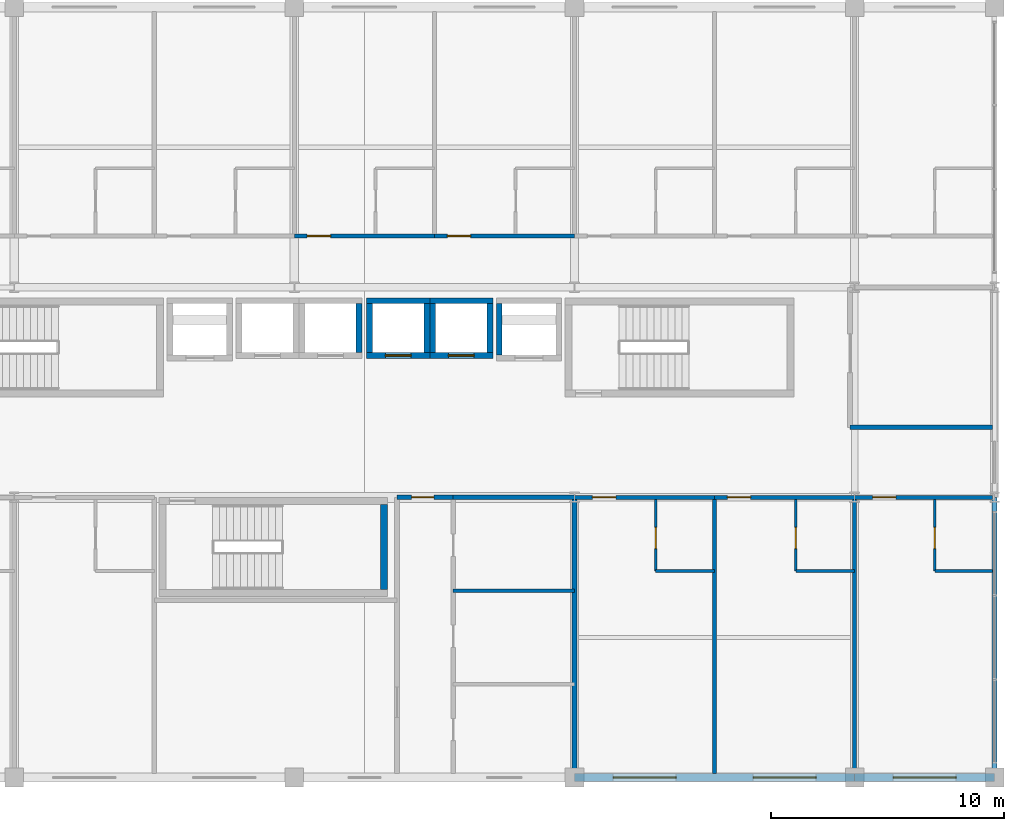
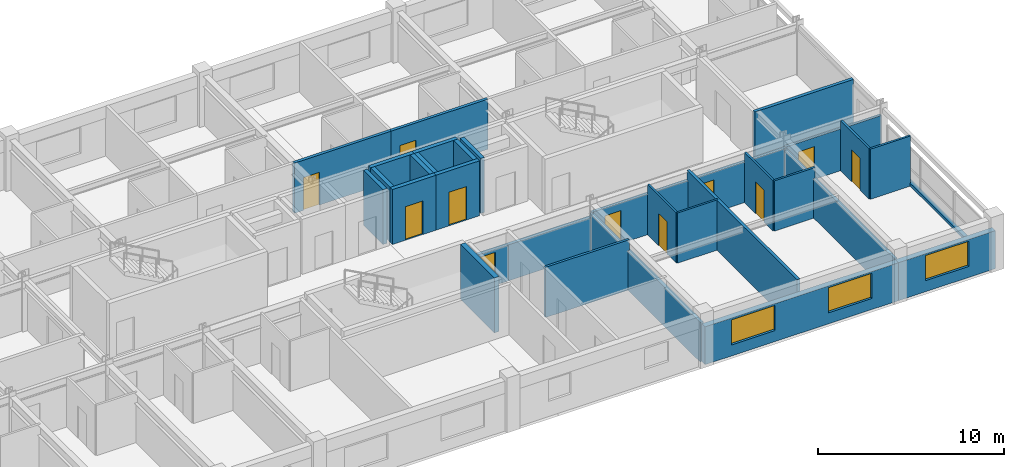
# One storey, part 23 of 26: 32 walls, 11 doors, 3 windows, 14 openings.
"""IFC4 building model written with IfcOpenShell, lengths in metres."""

from ifc_helpers import new_model, si_unit, direction, frame, frame_2d, origin, place, context, subcontext, project, spatial, rectangle, extrude, material, layer, layer_set, type_object, element, fill, save


model = new_model("IFC4")

# Units and contexts
model_context = context("Model", 3, precision=1e-05, world=origin(), true_north=direction((0.0, 1.0)))
body_context = subcontext(model_context, "Body", "Model", "MODEL_VIEW")
ifc_project = project(units=[si_unit("LENGTHUNIT", "METRE"), si_unit("AREAUNIT", "SQUARE_METRE"), si_unit("VOLUMEUNIT", "CUBIC_METRE"), si_unit("PLANEANGLEUNIT", "RADIAN"), si_unit("MASSUNIT", "GRAM", prefix="KILO")], contexts=[model_context])

# Site, building, storey
site_placement = place(None, origin())
site = spatial("IfcSite", under=ifc_project, at=site_placement, CompositionType="ELEMENT")
building_placement = place(site_placement, origin())
building = spatial("IfcBuilding", under=site, at=building_placement, Name="Kaldorvane Square Convention Centre", CompositionType="ELEMENT")
storey_placement = place(building_placement, frame((0.0, 0.0, 45.600006103515625)))
storey = spatial("IfcBuildingStorey", under=building, at=storey_placement, Name="L10", CompositionType="ELEMENT", Elevation=45.600006103515625)

# Wall, opening, door
ifc_material_1 = material(Name="Fire-Rated Gypsum Board on Acoustic Steel Studs", Category="steel")
ifc_layer_1 = layer(ifc_material_1, 0.125)
ifc_layer_set_1 = layer_set([ifc_layer_1], Name="Fire-Rated Gypsum Board on Acoustic Steel Studs")
wall_type_1 = type_object("IfcWallType", Name="WL-BATH-125", PredefinedType="PARTITIONING", material=ifc_layer_set_1)
wall_1_placement = place(storey_placement, frame((69.47999572753906, 92.85000610351562, 0.0), z_axis=(0.0, 0.0, 1.0), x_axis=(0.0, 1.0, 0.0)))
wall_1 = element("IfcWall", 1, at=wall_1_placement, inside=storey, type_object=wall_type_1, Name="En-Suite 1015 West Wall", PredefinedType="PARTITIONING", context=body_context, shape_type="SweptSolid", body=[
    extrude(rectangle(XDim=3.05999755859375, YDim=0.125, at=frame_2d((1.529998779296875, 0.0))), origin(), (0.0, 0.0, 1.0), 3.2899932861328125),
])
opening_1_placement = place(wall_1_placement, frame((0.9499969482421875, 0.0, 0.0)))
opening_1 = element("IfcOpeningElement", 2, at=opening_1_placement, cuts=wall_1, Name="Opening ID-12", PredefinedType="OPENING", context=body_context, shape_type="SweptSolid", body=[
    extrude(rectangle(XDim=0.9199981689453125, YDim=2.100006103515625, at=frame_2d((0.459991455078125, 1.0500030517578125))), frame((0.0, 0.0774993896484375, 0.0), z_axis=(0.0, -1.0, 0.0), x_axis=(1.0, 0.0, 0.0)), (0.0, 0.0, 1.0), 0.154998779296875),
])
ifc_material_2 = material(Name="Architectural Solid-Core White Oak")
door_type_1 = type_object("IfcDoorType", Name="DR-BATH-0920X2100", OperationType="SINGLE_SWING_RIGHT", PredefinedType="DOOR", material=ifc_material_2)
door_1_placement = place(opening_1_placement, origin())
door_1 = element("IfcDoor", 3, at=door_1_placement, inside=storey, type_object=door_type_1, Name="En-Suite Bathroom 1015 Door", OperationType="SINGLE_SWING_RIGHT", OverallHeight=2.100006103515625, OverallWidth=0.9199981689453125, PredefinedType="DOOR", context=body_context, shape_type="SweptSolid", body=[
    extrude(rectangle(XDim=0.9199981689453125, YDim=2.100006103515625, at=frame_2d((0.459991455078125, 1.0500030517578125))), frame((0.0, 0.024993896484375, 0.0), z_axis=(0.0, -1.0, 0.0), x_axis=(1.0, 0.0, 0.0)), (0.0, 0.0, 1.0), 0.0500030517578125),
])
fill(opening_1, door_1)

# Wall
wall_2_placement = place(storey_placement, frame((69.47999572753906, 92.85000610351562, 0.0), z_axis=(0.0, 0.0, 1.0), x_axis=(1.0, 0.0, 0.0)))
element("IfcWall", 4, at=wall_2_placement, inside=storey, type_object=wall_type_1, Name="En-Suite 1015 South Wall", PredefinedType="PARTITIONING", context=body_context, shape_type="SweptSolid", body=[
    extrude(rectangle(XDim=2.5200042724609375, YDim=0.125, at=frame_2d((1.260009765625, 0.0))), origin(), (0.0, 0.0, 1.0), 3.2899932861328125),
])

# Wall, opening, door
wall_3_placement = place(storey_placement, frame((75.47999572753906, 92.85000610351562, 0.0), z_axis=(0.0, 0.0, 1.0), x_axis=(0.0, 1.0, 0.0)))
wall_3 = element("IfcWall", 5, at=wall_3_placement, inside=storey, type_object=wall_type_1, Name="En-Suite 1016 West Wall", PredefinedType="PARTITIONING", context=body_context, shape_type="SweptSolid", body=[
    extrude(rectangle(XDim=3.05999755859375, YDim=0.125, at=frame_2d((1.529998779296875, 0.0))), origin(), (0.0, 0.0, 1.0), 3.2899932861328125),
])
opening_2_placement = place(wall_3_placement, frame((0.9499969482421875, 0.0, 0.0)))
opening_2 = element("IfcOpeningElement", 6, at=opening_2_placement, cuts=wall_3, Name="Opening ID-12", PredefinedType="OPENING", context=body_context, shape_type="SweptSolid", body=[
    extrude(rectangle(XDim=0.9199981689453125, YDim=2.100006103515625, at=frame_2d((0.459991455078125, 1.0500030517578125))), frame((0.0, 0.0774993896484375, 0.0), z_axis=(0.0, -1.0, 0.0), x_axis=(1.0, 0.0, 0.0)), (0.0, 0.0, 1.0), 0.154998779296875),
])
door_2_placement = place(opening_2_placement, origin())
door_2 = element("IfcDoor", 7, at=door_2_placement, inside=storey, type_object=door_type_1, Name="En-Suite Bathroom 1016 Door", OperationType="SINGLE_SWING_RIGHT", OverallHeight=2.100006103515625, OverallWidth=0.9199981689453125, PredefinedType="DOOR", context=body_context, shape_type="SweptSolid", body=[
    extrude(rectangle(XDim=0.9199981689453125, YDim=2.100006103515625, at=frame_2d((0.459991455078125, 1.0500030517578125))), frame((0.0, 0.024993896484375, 0.0), z_axis=(0.0, -1.0, 0.0), x_axis=(1.0, 0.0, 0.0)), (0.0, 0.0, 1.0), 0.0500030517578125),
])
fill(opening_2, door_2)

# Wall
wall_4_placement = place(storey_placement, frame((75.47999572753906, 92.85000610351562, 0.0), z_axis=(0.0, 0.0, 1.0), x_axis=(1.0, 0.0, 0.0)))
element("IfcWall", 8, at=wall_4_placement, inside=storey, type_object=wall_type_1, Name="En-Suite 1016 South Wall", PredefinedType="PARTITIONING", context=body_context, shape_type="SweptSolid", body=[
    extrude(rectangle(XDim=2.5200042724609375, YDim=0.125, at=frame_2d((1.260009765625, 0.0))), origin(), (0.0, 0.0, 1.0), 3.2899932861328125),
])

# Wall, opening, door
wall_5_placement = place(storey_placement, frame((81.43499755859375, 92.85000610351562, 0.0), z_axis=(0.0, 0.0, 1.0), x_axis=(0.0, 1.0, 0.0)))
wall_5 = element("IfcWall", 9, at=wall_5_placement, inside=storey, type_object=wall_type_1, Name="En-Suite 1017 West Wall", PredefinedType="PARTITIONING", context=body_context, shape_type="SweptSolid", body=[
    extrude(rectangle(XDim=3.05999755859375, YDim=0.125, at=frame_2d((1.529998779296875, 0.0))), origin(), (0.0, 0.0, 1.0), 3.2899932861328125),
])
opening_3_placement = place(wall_5_placement, frame((0.9499969482421875, 0.0, 0.0)))
opening_3 = element("IfcOpeningElement", 10, at=opening_3_placement, cuts=wall_5, Name="Opening ID-12", PredefinedType="OPENING", context=body_context, shape_type="SweptSolid", body=[
    extrude(rectangle(XDim=0.9199981689453125, YDim=2.100006103515625, at=frame_2d((0.459991455078125, 1.0500030517578125))), frame((0.0, 0.0774993896484375, 0.0), z_axis=(0.0, -1.0, 0.0), x_axis=(1.0, 0.0, 0.0)), (0.0, 0.0, 1.0), 0.154998779296875),
])
door_3_placement = place(opening_3_placement, origin())
door_3 = element("IfcDoor", 11, at=door_3_placement, inside=storey, type_object=door_type_1, Name="En-Suite Bathroom 1017 Door", OperationType="SINGLE_SWING_RIGHT", OverallHeight=2.100006103515625, OverallWidth=0.9199981689453125, PredefinedType="DOOR", context=body_context, shape_type="SweptSolid", body=[
    extrude(rectangle(XDim=0.9199981689453125, YDim=2.100006103515625, at=frame_2d((0.459991455078125, 1.0500030517578125))), frame((0.0, 0.024993896484375, 0.0), z_axis=(0.0, -1.0, 0.0), x_axis=(1.0, 0.0, 0.0)), (0.0, 0.0, 1.0), 0.0500030517578125),
])
fill(opening_3, door_3)

# Wall
wall_6_placement = place(storey_placement, frame((81.43499755859375, 92.85000610351562, 0.0), z_axis=(0.0, 0.0, 1.0), x_axis=(1.0, 0.0, 0.0)))
element("IfcWall", 12, at=wall_6_placement, inside=storey, type_object=wall_type_1, Name="En-Suite 1017 South Wall", PredefinedType="PARTITIONING", context=body_context, shape_type="SweptSolid", body=[
    extrude(rectangle(XDim=2.4799957275390625, YDim=0.125, at=frame_2d((1.239990234375, 0.0))), origin(), (0.0, 0.0, 1.0), 3.2899932861328125),
])

# Wall, opening, door
ifc_layer_2 = layer(ifc_material_1, 0.1999969482421875)
ifc_layer_set_2 = layer_set([ifc_layer_2], Name="Fire-Rated Gypsum Board on Acoustic Steel Studs")
wall_type_2 = type_object("IfcWallType", Name="WL-CORR-200", PredefinedType="PARTITIONING", material=ifc_layer_set_2)
wall_7_placement = place(storey_placement, frame((58.399993896484375, 96.0, 0.0), z_axis=(0.0, 0.0, 1.0), x_axis=(1.0, 0.0, 0.0)))
wall_7 = element("IfcWall", 13, at=wall_7_placement, inside=storey, type_object=wall_type_2, Name="Restroom Vestibule Entry Header (L10)", PredefinedType="PARTITIONING", context=body_context, shape_type="SweptSolid", body=[
    extrude(rectangle(XDim=2.4000091552734375, YDim=0.1999969482421875, at=frame_2d((1.20001220703125, 0.0))), origin(), (0.0, 0.0, 1.0), 2.3589935302734375),
])
opening_4_placement = place(wall_7_placement, frame((0.625, 0.0, 0.0)))
opening_4 = element("IfcOpeningElement", 14, at=opening_4_placement, cuts=wall_7, Name="Opening ID-13", PredefinedType="OPENING", context=body_context, shape_type="SweptSolid", body=[
    extrude(rectangle(XDim=0.9499969482421875, YDim=2.149993896484375, at=frame_2d((0.475006103515625, 1.0749969482421875))), frame((0.0, 0.114990234375, 0.0), z_axis=(0.0, -1.0, 0.0), x_axis=(1.0, 0.0, 0.0)), (0.0, 0.0, 1.0), 0.2299957275390625),
])
door_type_2 = type_object("IfcDoorType", Name="DR-WC-0950X2150", OperationType="SINGLE_SWING_LEFT", PredefinedType="DOOR", material=ifc_material_2)
door_4_placement = place(opening_4_placement, origin())
door_4 = element("IfcDoor", 15, at=door_4_placement, inside=storey, type_object=door_type_2, Name="Restroom Vestibule Door (L10)", OperationType="SINGLE_SWING_LEFT", OverallHeight=2.149993896484375, OverallWidth=0.9499969482421875, PredefinedType="DOOR", context=body_context, shape_type="SweptSolid", body=[
    extrude(rectangle(XDim=0.9499969482421875, YDim=2.149993896484375, at=frame_2d((0.475006103515625, 1.0749969482421875))), frame((0.0, 0.024993896484375, 0.0), z_axis=(0.0, -1.0, 0.0), x_axis=(1.0, 0.0, 0.0)), (0.0, 0.0, 1.0), 0.0500030517578125),
])
fill(opening_4, door_4)

# Walls
wall_8_placement = place(storey_placement, frame((66.0, 84.17500305175781, 0.0), z_axis=(0.0, 0.0, 1.0), x_axis=(0.0, 1.0, 0.0)))
element("IfcWall", 16, at=wall_8_placement, inside=storey, type_object=wall_type_2, Name="Restroom East Wall (L10)", PredefinedType="PARTITIONING", context=body_context, shape_type="SweptSolid", body=[
    extrude(rectangle(XDim=11.824996948242188, YDim=0.1999969482421875, at=frame_2d((5.912506103515625, 0.0))), origin(), (0.0, 0.0, 1.0), 2.589996337890625),
])
wall_9_placement = place(storey_placement, frame((60.80000305175781, 96.0, 0.0), z_axis=(0.0, 0.0, 1.0), x_axis=(1.0, 0.0, 0.0)))
element("IfcWall", 17, at=wall_9_placement, inside=storey, type_object=wall_type_2, Name="Restroom North Wall (L10)", PredefinedType="PARTITIONING", context=body_context, shape_type="SweptSolid", body=[
    extrude(rectangle(XDim=5.1999969482421875, YDim=0.1999969482421875, at=frame_2d((2.600006103515625, 0.0))), origin(), (0.0, 0.0, 1.0), 2.3589935302734375),
])
wall_10_placement = place(storey_placement, frame((77.80000305175781, 99.0, 0.0), z_axis=(0.0, 0.0, 1.0), x_axis=(1.0, 0.0, 0.0)))
element("IfcWall", 18, at=wall_10_placement, inside=storey, type_object=wall_type_2, Name="East Square View Lounge (L10) S Wall", PredefinedType="PARTITIONING", context=body_context, shape_type="SweptSolid", body=[
    extrude(rectangle(XDim=6.114990234375, YDim=0.1999969482421875, at=frame_2d((3.0574951171875, 0.0))), origin(), (0.0, 0.0, 1.0), 3.2899932861328125),
])

# Wall, openings, windows
ifc_material_3 = material(Name="Concrete f'c = 42 MPa (Normalweight)", Category="concrete")
ifc_layer_3 = layer(ifc_material_3, 0.350006103515625)
ifc_layer_set_3 = layer_set([ifc_layer_3], Name="Concrete f'c = 42 MPa (Normalweight)")
wall_type_3 = type_object("IfcWallType", Name="WL-EXT-350", PredefinedType="STANDARD", material=ifc_layer_set_3)
wall_11_placement = place(storey_placement, frame((66.0, 84.0, 0.0), z_axis=(0.0, 0.0, 1.0), x_axis=(1.0, 0.0, 0.0)))
wall_11 = element("IfcWall", 19, at=wall_11_placement, inside=storey, type_object=wall_type_3, Name="Hotel S Brutalist Facade Wall (L10)", PredefinedType="STANDARD", context=body_context, shape_type="SweptSolid", body=[
    extrude(rectangle(XDim=12.0, YDim=0.350006103515625, at=frame_2d((6.0, 0.0))), origin(), (0.0, 0.0, 1.0), 2.485992431640625),
])
opening_5_placement = place(wall_11_placement, frame((1.649993896484375, 0.0, 0.720001220703125)))
opening_5 = element("IfcOpeningElement", 20, at=opening_5_placement, cuts=wall_11, Name="Opening W-03", PredefinedType="OPENING", context=body_context, shape_type="SweptSolid", body=[
    extrude(rectangle(XDim=2.6999969482421875, YDim=1.649993896484375, at=frame_2d((1.350006103515625, 0.8249969482421875))), frame((0.0, 0.19000244140625, 0.0), z_axis=(0.0, -1.0, 0.0), x_axis=(1.0, 0.0, 0.0)), (0.0, 0.0, 1.0), 0.3800048828125),
])
opening_6_placement = place(wall_11_placement, frame((7.649993896484375, 0.0, 0.720001220703125)))
opening_6 = element("IfcOpeningElement", 21, at=opening_6_placement, cuts=wall_11, Name="Opening W-03", PredefinedType="OPENING", context=body_context, shape_type="SweptSolid", body=[
    extrude(rectangle(XDim=2.6999969482421875, YDim=1.649993896484375, at=frame_2d((1.350006103515625, 0.8249969482421875))), frame((0.0, 0.19000244140625, 0.0), z_axis=(0.0, -1.0, 0.0), x_axis=(1.0, 0.0, 0.0)), (0.0, 0.0, 1.0), 0.3800048828125),
])
ifc_material_4 = material(Name="Anodized Aluminum and Low-E Insulated Glazing", Category="aluminium")
window_type = type_object("IfcWindowType", Name="WN-HTL-2700X1650", PartitioningType="TRIPLE_PANEL_VERTICAL", PredefinedType="WINDOW", material=ifc_material_4)
window_1_placement = place(opening_5_placement, origin())
window_1 = element("IfcWindow", 22, at=window_1_placement, inside=storey, type_object=window_type, Name="Hotel S Window (L10)", OverallHeight=1.649993896484375, OverallWidth=2.6999969482421875, PartitioningType="TRIPLE_PANEL_VERTICAL", PredefinedType="WINDOW", context=body_context, shape_type="SweptSolid", body=[
    extrude(rectangle(XDim=2.6999969482421875, YDim=1.649993896484375, at=frame_2d((1.350006103515625, 0.8249969482421875))), frame((0.0, 0.029998779296875, 0.0), z_axis=(0.0, -1.0, 0.0), x_axis=(1.0, 0.0, 0.0)), (0.0, 0.0, 1.0), 0.05999755859375),
])
fill(opening_5, window_1)
window_2_placement = place(opening_6_placement, origin())
window_2 = element("IfcWindow", 23, at=window_2_placement, inside=storey, type_object=window_type, Name="Hotel S Window (L10)", OverallHeight=1.649993896484375, OverallWidth=2.6999969482421875, PartitioningType="TRIPLE_PANEL_VERTICAL", PredefinedType="WINDOW", context=body_context, shape_type="SweptSolid", body=[
    extrude(rectangle(XDim=2.6999969482421875, YDim=1.649993896484375, at=frame_2d((1.350006103515625, 0.8249969482421875))), frame((0.0, 0.029998779296875, 0.0), z_axis=(0.0, -1.0, 0.0), x_axis=(1.0, 0.0, 0.0)), (0.0, 0.0, 1.0), 0.05999755859375),
])
fill(opening_6, window_2)

# Wall, opening, window
wall_12_placement = place(storey_placement, frame((78.0, 84.0, 0.0), z_axis=(0.0, 0.0, 1.0), x_axis=(1.0, 0.0, 0.0)))
wall_12 = element("IfcWall", 24, at=wall_12_placement, inside=storey, type_object=wall_type_3, Name="Hotel S Brutalist Facade Wall (L10)", PredefinedType="STANDARD", context=body_context, shape_type="SweptSolid", body=[
    extrude(rectangle(XDim=6.0, YDim=0.350006103515625, at=frame_2d((3.0, 0.0))), origin(), (0.0, 0.0, 1.0), 2.485992431640625),
])
opening_7_placement = place(wall_12_placement, frame((1.649993896484375, 0.0, 0.720001220703125)))
opening_7 = element("IfcOpeningElement", 25, at=opening_7_placement, cuts=wall_12, Name="Opening W-03", PredefinedType="OPENING", context=body_context, shape_type="SweptSolid", body=[
    extrude(rectangle(XDim=2.6999969482421875, YDim=1.649993896484375, at=frame_2d((1.350006103515625, 0.8249969482421875))), frame((0.0, 0.19000244140625, 0.0), z_axis=(0.0, -1.0, 0.0), x_axis=(1.0, 0.0, 0.0)), (0.0, 0.0, 1.0), 0.3800048828125),
])
window_3_placement = place(opening_7_placement, origin())
window_3 = element("IfcWindow", 26, at=window_3_placement, inside=storey, type_object=window_type, Name="Hotel S Window (L10)", OverallHeight=1.649993896484375, OverallWidth=2.6999969482421875, PartitioningType="TRIPLE_PANEL_VERTICAL", PredefinedType="WINDOW", context=body_context, shape_type="SweptSolid", body=[
    extrude(rectangle(XDim=2.6999969482421875, YDim=1.649993896484375, at=frame_2d((1.350006103515625, 0.8249969482421875))), frame((0.0, 0.029998779296875, 0.0), z_axis=(0.0, -1.0, 0.0), x_axis=(1.0, 0.0, 0.0)), (0.0, 0.0, 1.0), 0.05999755859375),
])
fill(opening_7, window_3)

# Walls
ifc_material_5 = material(Name="Concrete f'c = 35 MPa (Normalweight)", Category="concrete")
ifc_layer_4 = layer(ifc_material_5, 0.220001220703125)
ifc_layer_set_4 = layer_set([ifc_layer_4], Name="Concrete f'c = 35 MPa (Normalweight)")
wall_type_4 = type_object("IfcWallType", Name="WL-PAR-220", PredefinedType="PARAPET", material=ifc_layer_set_4)
wall_13_placement = place(storey_placement, frame((84.0, 84.0, 0.0), z_axis=(0.0, 0.0, 1.0), x_axis=(0.0, 1.0, 0.0)))
element("IfcWall", 27, at=wall_13_placement, inside=storey, type_object=wall_type_4, Name="Hotel End Curtain-Wall Sill (L10)", PredefinedType="PARAPET", context=body_context, shape_type="SweptSolid", body=[
    extrude(rectangle(XDim=12.0, YDim=0.220001220703125, at=frame_2d((6.0, 0.0))), origin(), (0.0, 0.0, 1.0), 0.1999969482421875),
])
ifc_layer_5 = layer(ifc_material_1, 0.149993896484375)
ifc_layer_set_5 = layer_set([ifc_layer_5], Name="Fire-Rated Gypsum Board on Acoustic Steel Studs")
wall_type_5 = type_object("IfcWallType", Name="WL-PART-150", PredefinedType="PARTITIONING", material=ifc_layer_set_5)
wall_14_placement = place(storey_placement, frame((60.80000305175781, 92.0, 0.0), z_axis=(0.0, 0.0, 1.0), x_axis=(1.0, 0.0, 0.0)))
element("IfcWall", 28, at=wall_14_placement, inside=storey, type_object=wall_type_5, Name="Restroom Partition 2 (L10)", PredefinedType="PARTITIONING", context=body_context, shape_type="SweptSolid", body=[
    extrude(rectangle(XDim=5.1999969482421875, YDim=0.149993896484375, at=frame_2d((2.600006103515625, 0.0))), origin(), (0.0, 0.0, 1.0), 3.2899932861328125),
])
ifc_material_6 = material(Name="Concrete f'c = 55 MPa (Normalweight)", Category="concrete")
ifc_layer_6 = layer(ifc_material_6, 0.3000030517578125)
ifc_layer_set_6 = layer_set([ifc_layer_6], Name="Concrete f'c = 55 MPa (Normalweight)")
wall_type_6 = type_object("IfcWallType", Name="WL-SHAFT-300", PredefinedType="SHEAR", material=ifc_layer_set_6)
wall_15_placement = place(storey_placement, frame((57.850006103515625, 92.05999755859375, 0.0), z_axis=(0.0, 0.0, 1.0), x_axis=(0.0, 1.0, 0.0)))
element("IfcWall", 29, at=wall_15_placement, inside=storey, type_object=wall_type_6, Name="Core Enclosure Wall stair:ST-T3-E (L10)", PredefinedType="SHEAR", context=body_context, shape_type="SweptSolid", body=[
    extrude(rectangle(XDim=3.6399993896484375, YDim=0.3000030517578125, at=frame_2d((1.82000732421875, 0.0))), origin(), (0.0, 0.0, 1.0), 3.5999908447265625),
])
wall_16_placement = place(storey_placement, frame((62.774993896484375, 104.30000305175781, 0.0), z_axis=(0.0, 0.0, 1.0), x_axis=(0.0, -1.0, 0.0)))
element("IfcWall", 30, at=wall_16_placement, inside=storey, type_object=wall_type_6, Name="Core Enclosure Wall lift:FSAE-02-W (L10)", PredefinedType="SHEAR", context=body_context, shape_type="SweptSolid", body=[
    extrude(rectangle(XDim=2.1999969482421875, YDim=0.25, at=frame_2d((1.100006103515625, 0.0))), origin(), (0.0, 0.0, 1.0), 3.5999908447265625),
])
wall_17_placement = place(storey_placement, frame((56.774993896484375, 102.19999694824219, 0.0), z_axis=(0.0, 0.0, 1.0), x_axis=(0.0, 1.0, 0.0)))
element("IfcWall", 31, at=wall_17_placement, inside=storey, type_object=wall_type_6, Name="Core Enclosure Wall lift:EL-P2-E (L10)", PredefinedType="SHEAR", context=body_context, shape_type="SweptSolid", body=[
    extrude(rectangle(XDim=2.100006103515625, YDim=0.25, at=frame_2d((1.0500030517578125, 0.0))), origin(), (0.0, 0.0, 1.0), 3.5999908447265625),
])

# Wall, opening, door
wall_18_placement = place(storey_placement, frame((57.100006103515625, 102.07499694824219, 0.0), z_axis=(0.0, 0.0, 1.0), x_axis=(1.0, 0.0, 0.0)))
wall_18 = element("IfcWall", 32, at=wall_18_placement, inside=storey, type_object=wall_type_6, Name="Core Enclosure Wall lift:EL-P3-S (L10)", PredefinedType="SHEAR", context=body_context, shape_type="SweptSolid", body=[
    extrude(rectangle(XDim=2.6999969482421875, YDim=0.25, at=frame_2d((1.350006103515625, 0.0))), origin(), (0.0, 0.0, 1.0), 3.5999908447265625),
])
opening_8_placement = place(wall_18_placement, frame((0.8000030517578125, 0.0, 0.0)))
opening_8 = element("IfcOpeningElement", 33, at=opening_8_placement, cuts=wall_18, Name="Opening LD-01", PredefinedType="OPENING", context=body_context, shape_type="SweptSolid", body=[
    extrude(rectangle(XDim=1.100006103515625, YDim=2.1999969482421875, at=frame_2d((0.5500030517578125, 1.100006103515625))), frame((0.0, 0.1399993896484375, 0.0), z_axis=(0.0, -1.0, 0.0), x_axis=(1.0, 0.0, 0.0)), (0.0, 0.0, 1.0), 0.279998779296875),
])
ifc_material_7 = material(Name="Stainless Steel Elevator Door Assembly", Category="steel")
door_type_3 = type_object("IfcDoorType", Name="DR-LIFT-1100", OperationType="DOUBLE_DOOR_SLIDING", PredefinedType="DOOR", material=ifc_material_7)
door_5_placement = place(opening_8_placement, origin())
door_5 = element("IfcDoor", 34, at=door_5_placement, inside=storey, type_object=door_type_3, Name="Elevator Landing Door EL-P3 (L10)", OperationType="DOUBLE_DOOR_SLIDING", OverallHeight=2.1999969482421875, OverallWidth=1.100006103515625, PredefinedType="DOOR", context=body_context, shape_type="SweptSolid", body=[
    extrude(rectangle(XDim=1.100006103515625, YDim=2.1999969482421875, at=frame_2d((0.5500030517578125, 1.100006103515625))), frame((0.0, 0.024993896484375, 0.0), z_axis=(0.0, -1.0, 0.0), x_axis=(1.0, 0.0, 0.0)), (0.0, 0.0, 1.0), 0.0500030517578125),
])
fill(opening_8, door_5)

# Walls
wall_19_placement = place(storey_placement, frame((59.80000305175781, 104.42500305175781, 0.0), z_axis=(0.0, 0.0, 1.0), x_axis=(-1.0, 0.0, 0.0)))
element("IfcWall", 35, at=wall_19_placement, inside=storey, type_object=wall_type_6, Name="Core Enclosure Wall lift:EL-P3-N (L10)", PredefinedType="SHEAR", context=body_context, shape_type="SweptSolid", body=[
    extrude(rectangle(XDim=2.6999969482421875, YDim=0.25, at=frame_2d((1.350006103515625, 0.0))), origin(), (0.0, 0.0, 1.0), 3.5999908447265625),
])
for number, where, z_axis, x_axis, name in (
    (36, (57.225006103515625, 104.30000305175781, 0.0), (0.0, 0.0, 1.0), (0.0, -1.0, 0.0), "Core Enclosure Wall lift:EL-P3-W (L10)"),
    (37, (59.67500305175781, 102.19999694824219, 0.0), (0.0, 0.0, 1.0), (0.0, 1.0, 0.0), "Core Enclosure Wall lift:EL-P3-E (L10)"),
):
    element("IfcWall", number, at=place(storey_placement, frame(where, z_axis=z_axis, x_axis=x_axis)), inside=storey, type_object=wall_type_6, Name=name, PredefinedType="SHEAR", context=body_context, shape_type="SweptSolid", body=[
        extrude(rectangle(XDim=2.100006103515625, YDim=0.25, at=frame_2d((1.0500030517578125, 0.0))), origin(), (0.0, 0.0, 1.0), 3.5999908447265625),
    ])

# Wall, opening, door
wall_20_placement = place(storey_placement, frame((59.80000305175781, 102.07499694824219, 0.0), z_axis=(0.0, 0.0, 1.0), x_axis=(1.0, 0.0, 0.0)))
wall_20 = element("IfcWall", 38, at=wall_20_placement, inside=storey, type_object=wall_type_6, Name="Core Enclosure Wall lift:EL-P4-S (L10)", PredefinedType="SHEAR", context=body_context, shape_type="SweptSolid", body=[
    extrude(rectangle(XDim=2.6999969482421875, YDim=0.25, at=frame_2d((1.350006103515625, 0.0))), origin(), (0.0, 0.0, 1.0), 3.5999908447265625),
])
opening_9_placement = place(wall_20_placement, frame((0.8000030517578125, 0.0, 0.0)))
opening_9 = element("IfcOpeningElement", 39, at=opening_9_placement, cuts=wall_20, Name="Opening LD-01", PredefinedType="OPENING", context=body_context, shape_type="SweptSolid", body=[
    extrude(rectangle(XDim=1.100006103515625, YDim=2.1999969482421875, at=frame_2d((0.5500030517578125, 1.100006103515625))), frame((0.0, 0.1399993896484375, 0.0), z_axis=(0.0, -1.0, 0.0), x_axis=(1.0, 0.0, 0.0)), (0.0, 0.0, 1.0), 0.279998779296875),
])
door_6_placement = place(opening_9_placement, origin())
door_6 = element("IfcDoor", 40, at=door_6_placement, inside=storey, type_object=door_type_3, Name="Elevator Landing Door EL-P4 (L10)", OperationType="DOUBLE_DOOR_SLIDING", OverallHeight=2.1999969482421875, OverallWidth=1.100006103515625, PredefinedType="DOOR", context=body_context, shape_type="SweptSolid", body=[
    extrude(rectangle(XDim=1.100006103515625, YDim=2.1999969482421875, at=frame_2d((0.5500030517578125, 1.100006103515625))), frame((0.0, 0.024993896484375, 0.0), z_axis=(0.0, -1.0, 0.0), x_axis=(1.0, 0.0, 0.0)), (0.0, 0.0, 1.0), 0.0500030517578125),
])
fill(opening_9, door_6)

# Walls
wall_21_placement = place(storey_placement, frame((62.5, 104.42500305175781, 0.0), z_axis=(0.0, 0.0, 1.0), x_axis=(-1.0, 0.0, 0.0)))
element("IfcWall", 41, at=wall_21_placement, inside=storey, type_object=wall_type_6, Name="Core Enclosure Wall lift:EL-P4-N (L10)", PredefinedType="SHEAR", context=body_context, shape_type="SweptSolid", body=[
    extrude(rectangle(XDim=2.6999969482421875, YDim=0.25, at=frame_2d((1.350006103515625, 0.0))), origin(), (0.0, 0.0, 1.0), 3.5999908447265625),
])
for number, where, z_axis, x_axis, name in (
    (42, (59.92500305175781, 104.30000305175781, 0.0), (0.0, 0.0, 1.0), (0.0, -1.0, 0.0), "Core Enclosure Wall lift:EL-P4-W (L10)"),
    (43, (62.375, 102.19999694824219, 0.0), (0.0, 0.0, 1.0), (0.0, 1.0, 0.0), "Core Enclosure Wall lift:EL-P4-E (L10)"),
):
    element("IfcWall", number, at=place(storey_placement, frame(where, z_axis=z_axis, x_axis=x_axis)), inside=storey, type_object=wall_type_6, Name=name, PredefinedType="SHEAR", context=body_context, shape_type="SweptSolid", body=[
        extrude(rectangle(XDim=2.100006103515625, YDim=0.25, at=frame_2d((1.0500030517578125, 0.0))), origin(), (0.0, 0.0, 1.0), 3.5999908447265625),
    ])

# Wall, opening, door
ifc_layer_7 = layer(ifc_material_1, 0.17999267578125)
ifc_layer_set_7 = layer_set([ifc_layer_7], Name="Fire-Rated Gypsum Board on Acoustic Steel Studs")
wall_type_7 = type_object("IfcWallType", Name="WL-UNIT-180", PredefinedType="PARTITIONING", material=ifc_layer_set_7)
wall_22_placement = place(storey_placement, frame((54.0, 107.19999694824219, 0.0), z_axis=(0.0, 0.0, 1.0), x_axis=(1.0, 0.0, 0.0)))
wall_22 = element("IfcWall", 44, at=wall_22_placement, inside=storey, type_object=wall_type_7, Name="Hotel Guest Room 1006 Corridor Wall", PredefinedType="PARTITIONING", context=body_context, shape_type="SweptSolid", body=[
    extrude(rectangle(XDim=6.0, YDim=0.17999267578125, at=frame_2d((3.0, 0.0))), origin(), (0.0, 0.0, 1.0), 3.2899932861328125),
])
opening_10_placement = place(wall_22_placement, frame((0.5500030517578125, 0.0, 0.0)))
opening_10 = element("IfcOpeningElement", 45, at=opening_10_placement, cuts=wall_22, Name="Opening ID-10", PredefinedType="OPENING", context=body_context, shape_type="SweptSolid", body=[
    extrude(rectangle(XDim=1.0, YDim=2.149993896484375, at=frame_2d((0.5, 1.0749969482421875))), frame((0.0, 0.1049957275390625, 0.0), z_axis=(0.0, -1.0, 0.0), x_axis=(1.0, 0.0, 0.0)), (0.0, 0.0, 1.0), 0.209991455078125),
])
door_type_4 = type_object("IfcDoorType", Name="DR-GUEST-1000X2150", OperationType="SINGLE_SWING_LEFT", PredefinedType="DOOR", material=ifc_material_2)
door_7_placement = place(opening_10_placement, origin())
door_7 = element("IfcDoor", 46, at=door_7_placement, inside=storey, type_object=door_type_4, Name="Hotel Guest Room 1006 Entry Door", OperationType="SINGLE_SWING_LEFT", OverallHeight=2.149993896484375, OverallWidth=1.0, PredefinedType="DOOR", context=body_context, shape_type="SweptSolid", body=[
    extrude(rectangle(XDim=1.0, YDim=2.149993896484375, at=frame_2d((0.5, 1.0749969482421875))), frame((0.0, 0.024993896484375, 0.0), z_axis=(0.0, -1.0, 0.0), x_axis=(1.0, 0.0, 0.0)), (0.0, 0.0, 1.0), 0.0500030517578125),
])
fill(opening_10, door_7)

wall_23_placement = place(storey_placement, frame((60.0, 107.19999694824219, 0.0), z_axis=(0.0, 0.0, 1.0), x_axis=(1.0, 0.0, 0.0)))
wall_23 = element("IfcWall", 47, at=wall_23_placement, inside=storey, type_object=wall_type_7, Name="Hotel Guest Room 1007 Corridor Wall", PredefinedType="PARTITIONING", context=body_context, shape_type="SweptSolid", body=[
    extrude(rectangle(XDim=6.0, YDim=0.17999267578125, at=frame_2d((3.0, 0.0))), origin(), (0.0, 0.0, 1.0), 3.2899932861328125),
])
opening_11_placement = place(wall_23_placement, frame((0.5500030517578125, 0.0, 0.0)))
opening_11 = element("IfcOpeningElement", 48, at=opening_11_placement, cuts=wall_23, Name="Opening ID-10", PredefinedType="OPENING", context=body_context, shape_type="SweptSolid", body=[
    extrude(rectangle(XDim=1.0, YDim=2.149993896484375, at=frame_2d((0.5, 1.0749969482421875))), frame((0.0, 0.1049957275390625, 0.0), z_axis=(0.0, -1.0, 0.0), x_axis=(1.0, 0.0, 0.0)), (0.0, 0.0, 1.0), 0.209991455078125),
])
door_8_placement = place(opening_11_placement, origin())
door_8 = element("IfcDoor", 49, at=door_8_placement, inside=storey, type_object=door_type_4, Name="Hotel Guest Room 1007 Entry Door", OperationType="SINGLE_SWING_LEFT", OverallHeight=2.149993896484375, OverallWidth=1.0, PredefinedType="DOOR", context=body_context, shape_type="SweptSolid", body=[
    extrude(rectangle(XDim=1.0, YDim=2.149993896484375, at=frame_2d((0.5, 1.0749969482421875))), frame((0.0, 0.024993896484375, 0.0), z_axis=(0.0, -1.0, 0.0), x_axis=(1.0, 0.0, 0.0)), (0.0, 0.0, 1.0), 0.0500030517578125),
])
fill(opening_11, door_8)

wall_24_placement = place(storey_placement, frame((66.0, 96.0, 0.0), z_axis=(0.0, 0.0, 1.0), x_axis=(1.0, 0.0, 0.0)))
wall_24 = element("IfcWall", 50, at=wall_24_placement, inside=storey, type_object=wall_type_7, Name="Hotel Guest Room 1015 Corridor Wall", PredefinedType="PARTITIONING", context=body_context, shape_type="SweptSolid", body=[
    extrude(rectangle(XDim=6.0, YDim=0.17999267578125, at=frame_2d((3.0, 0.0))), origin(), (0.0, 0.0, 1.0), 2.66400146484375),
])
opening_12_placement = place(wall_24_placement, frame((0.7700042724609375, 0.0, 0.0)))
opening_12 = element("IfcOpeningElement", 51, at=opening_12_placement, cuts=wall_24, Name="Opening ID-10", PredefinedType="OPENING", context=body_context, shape_type="SweptSolid", body=[
    extrude(rectangle(XDim=1.0, YDim=2.149993896484375, at=frame_2d((0.5, 1.0749969482421875))), frame((0.0, 0.1049957275390625, 0.0), z_axis=(0.0, -1.0, 0.0), x_axis=(1.0, 0.0, 0.0)), (0.0, 0.0, 1.0), 0.209991455078125),
])
door_9_placement = place(opening_12_placement, origin())
door_9 = element("IfcDoor", 52, at=door_9_placement, inside=storey, type_object=door_type_4, Name="Hotel Guest Room 1015 Entry Door", OperationType="SINGLE_SWING_LEFT", OverallHeight=2.149993896484375, OverallWidth=1.0, PredefinedType="DOOR", context=body_context, shape_type="SweptSolid", body=[
    extrude(rectangle(XDim=1.0, YDim=2.149993896484375, at=frame_2d((0.5, 1.0749969482421875))), frame((0.0, 0.024993896484375, 0.0), z_axis=(0.0, -1.0, 0.0), x_axis=(1.0, 0.0, 0.0)), (0.0, 0.0, 1.0), 0.0500030517578125),
])
fill(opening_12, door_9)

# Wall
wall_25_placement = place(storey_placement, frame((72.0, 84.17500305175781, 0.0), z_axis=(0.0, 0.0, 1.0), x_axis=(0.0, 1.0, 0.0)))
element("IfcWall", 53, at=wall_25_placement, inside=storey, type_object=wall_type_7, Name="Guestroom Demising Wall 1015", PredefinedType="PARTITIONING", context=body_context, shape_type="SweptSolid", body=[
    extrude(rectangle(XDim=11.824996948242188, YDim=0.17999267578125, at=frame_2d((5.912506103515625, 0.0))), origin(), (0.0, 0.0, 1.0), 3.2899932861328125),
])

# Wall, opening, door
wall_26_placement = place(storey_placement, frame((72.0, 96.0, 0.0), z_axis=(0.0, 0.0, 1.0), x_axis=(1.0, 0.0, 0.0)))
wall_26 = element("IfcWall", 54, at=wall_26_placement, inside=storey, type_object=wall_type_7, Name="Hotel Guest Room 1016 Corridor Wall", PredefinedType="PARTITIONING", context=body_context, shape_type="SweptSolid", body=[
    extrude(rectangle(XDim=6.0, YDim=0.17999267578125, at=frame_2d((3.0, 0.0))), origin(), (0.0, 0.0, 1.0), 2.66400146484375),
])
opening_13_placement = place(wall_26_placement, frame((0.5500030517578125, 0.0, 0.0)))
opening_13 = element("IfcOpeningElement", 55, at=opening_13_placement, cuts=wall_26, Name="Opening ID-10", PredefinedType="OPENING", context=body_context, shape_type="SweptSolid", body=[
    extrude(rectangle(XDim=1.0, YDim=2.149993896484375, at=frame_2d((0.5, 1.0749969482421875))), frame((0.0, 0.1049957275390625, 0.0), z_axis=(0.0, -1.0, 0.0), x_axis=(1.0, 0.0, 0.0)), (0.0, 0.0, 1.0), 0.209991455078125),
])
door_10_placement = place(opening_13_placement, origin())
door_10 = element("IfcDoor", 56, at=door_10_placement, inside=storey, type_object=door_type_4, Name="Hotel Guest Room 1016 Entry Door", OperationType="SINGLE_SWING_LEFT", OverallHeight=2.149993896484375, OverallWidth=1.0, PredefinedType="DOOR", context=body_context, shape_type="SweptSolid", body=[
    extrude(rectangle(XDim=1.0, YDim=2.149993896484375, at=frame_2d((0.5, 1.0749969482421875))), frame((0.0, 0.024993896484375, 0.0), z_axis=(0.0, -1.0, 0.0), x_axis=(1.0, 0.0, 0.0)), (0.0, 0.0, 1.0), 0.0500030517578125),
])
fill(opening_13, door_10)

# Wall
wall_27_placement = place(storey_placement, frame((78.0, 84.17500305175781, 0.0), z_axis=(0.0, 0.0, 1.0), x_axis=(0.0, 1.0, 0.0)))
element("IfcWall", 57, at=wall_27_placement, inside=storey, type_object=wall_type_7, Name="Guestroom Demising Wall 1016", PredefinedType="PARTITIONING", context=body_context, shape_type="SweptSolid", body=[
    extrude(rectangle(XDim=11.824996948242188, YDim=0.17999267578125, at=frame_2d((5.912506103515625, 0.0))), origin(), (0.0, 0.0, 1.0), 2.589996337890625),
])

# Wall, opening, door
wall_28_placement = place(storey_placement, frame((78.0, 96.0, 0.0), z_axis=(0.0, 0.0, 1.0), x_axis=(1.0, 0.0, 0.0)))
wall_28 = element("IfcWall", 58, at=wall_28_placement, inside=storey, type_object=wall_type_7, Name="Hotel Guest Room 1017 Corridor Wall", PredefinedType="PARTITIONING", context=body_context, shape_type="SweptSolid", body=[
    extrude(rectangle(XDim=5.9149932861328125, YDim=0.17999267578125, at=frame_2d((2.957489013671875, 0.0))), origin(), (0.0, 0.0, 1.0), 2.735992431640625),
])
opening_14_placement = place(wall_28_placement, frame((0.7700042724609375, 0.0, 0.0)))
opening_14 = element("IfcOpeningElement", 59, at=opening_14_placement, cuts=wall_28, Name="Opening ID-10", PredefinedType="OPENING", context=body_context, shape_type="SweptSolid", body=[
    extrude(rectangle(XDim=1.0, YDim=2.149993896484375, at=frame_2d((0.5, 1.0749969482421875))), frame((0.0, 0.1049957275390625, 0.0), z_axis=(0.0, -1.0, 0.0), x_axis=(1.0, 0.0, 0.0)), (0.0, 0.0, 1.0), 0.209991455078125),
])
door_11_placement = place(opening_14_placement, origin())
door_11 = element("IfcDoor", 60, at=door_11_placement, inside=storey, type_object=door_type_4, Name="Hotel Guest Room 1017 Entry Door", OperationType="SINGLE_SWING_LEFT", OverallHeight=2.149993896484375, OverallWidth=1.0, PredefinedType="DOOR", context=body_context, shape_type="SweptSolid", body=[
    extrude(rectangle(XDim=1.0, YDim=2.149993896484375, at=frame_2d((0.5, 1.0749969482421875))), frame((0.0, 0.024993896484375, 0.0), z_axis=(0.0, -1.0, 0.0), x_axis=(1.0, 0.0, 0.0)), (0.0, 0.0, 1.0), 0.0500030517578125),
])
fill(opening_14, door_11)

save(model, "model.ifc")
